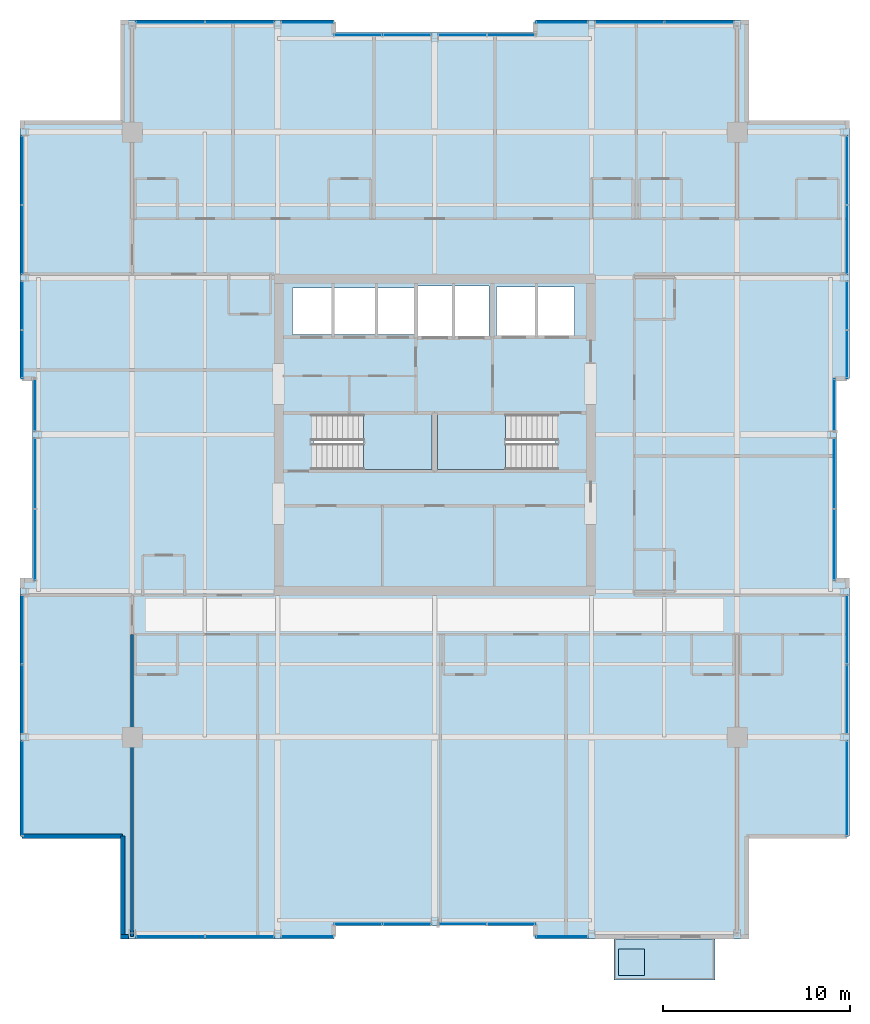
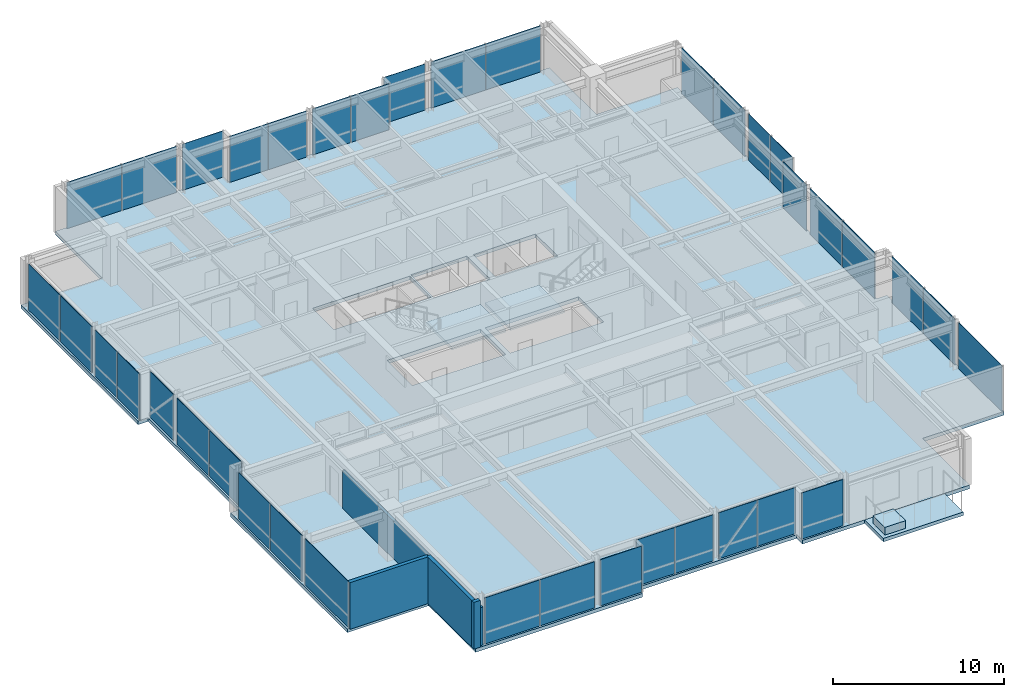
# One storey, part 25 of 32: 38 plates, 5 slabs, 4 walls, 25 elements without a shape of their own.
"""IFC4 building model written with IfcOpenShell, lengths in metres."""

import ifcopenshell
import ifcopenshell.guid

model = None  # the IFC model being written
_history = None  # IfcOwnerHistory: only IFC2X3 demands one
_inside = {}  # id of a spatial element -> (the spatial element, [elements in it])
_under = {}  # id of a project, library or spatial element -> (it, [spatial elements below it])
_declared = {}  # id of a project -> (the project, [libraries it declares])
_typed = {}  # id of a type object -> (the type object, [elements of that type])
_made_of = {}  # id of a material, layer set ... -> (it, [elements and type objects made of it])


def new_model(schema):
    """Start an empty IFC model of exactly this schema.

    Asked for "IFC4X3", IfcOpenShell would pick the latest addendum, in which some entities
    have other attributes; the version numbers below select the first issue.
    IFC2X3 requires an IfcOwnerHistory on every rooted entity: one is made here for all.
    """
    global model, _history
    if schema == "IFC4X3":
        model = ifcopenshell.file(schema_version=(4, 3, 0, 0))
    else:
        model = ifcopenshell.file(schema=schema)
    _inside.clear()
    _under.clear()
    _declared.clear()
    _typed.clear()
    _made_of.clear()
    _history = None
    if model.schema == "IFC2X3":
        org = make("IfcOrganization", Name="unknown")
        user = make(
            "IfcPersonAndOrganization",
            ThePerson=make("IfcPerson", FamilyName="unknown"),
            TheOrganization=org,
        )
        app = make(
            "IfcApplication",
            ApplicationDeveloper=org,
            Version="unknown",
            ApplicationFullName="unknown",
            ApplicationIdentifier="unknown",
        )
        _history = make(
            "IfcOwnerHistory",
            OwningUser=user,
            OwningApplication=app,
            ChangeAction="ADDED",
            CreationDate=0,
        )
    return model


def make(cls, **values):
    """One entity of the class cls with the attributes given. An attribute that is None is left unset."""
    return model.create_entity(
        cls, **{name: value for name, value in values.items() if value is not None}
    )


def rooted(cls, **values):
    """An entity with a GlobalId (a new one), such as an element, a storey or a relation."""
    return make(cls, GlobalId=ifcopenshell.guid.new(), OwnerHistory=_history, **values)


def si_unit(unit_type, name, prefix=None):
    """IfcSIUnit, for example si_unit("LENGTHUNIT", "METRE", prefix="MILLI")."""
    return make("IfcSIUnit", UnitType=unit_type, Prefix=prefix, Name=name)


def assignment(units):
    """IfcUnitAssignment: the units of a project."""
    return None if units is None else make("IfcUnitAssignment", Units=units)


def point(xyz):
    """IfcCartesianPoint."""
    return None if xyz is None else make("IfcCartesianPoint", Coordinates=xyz)


def direction(xyz):
    """IfcDirection."""
    return None if xyz is None else make("IfcDirection", DirectionRatios=xyz)


def frame(location, z_axis=None, x_axis=None):
    """IfcAxis2Placement3D, a coordinate frame: its origin and axes. An axis left out is left unset."""
    return make(
        "IfcAxis2Placement3D",
        Location=point(location),
        Axis=direction(z_axis),
        RefDirection=direction(x_axis),
    )


def frame_2d(location, x_axis=None):
    """IfcAxis2Placement2D, a coordinate frame in the plane: its origin and x axis."""
    return make(
        "IfcAxis2Placement2D", Location=point(location), RefDirection=direction(x_axis)
    )


def origin():
    """The frame at (0, 0, 0) with its axes left unset."""
    return frame((0.0, 0.0, 0.0))


def origin_2d():
    """The frame at (0, 0) in the plane with its x axis left unset."""
    return frame_2d((0.0, 0.0))


def place(relative_to, where):
    """IfcLocalPlacement: puts the frame where relative to a parent placement (None: the world)."""
    return make(
        "IfcLocalPlacement", PlacementRelTo=relative_to, RelativePlacement=where
    )


def context(
    kind, dimensions, precision=None, world=None, true_north=None, identifier=None
):
    """IfcGeometricRepresentationContext, for example the 3D "Model" context."""
    return make(
        "IfcGeometricRepresentationContext",
        ContextIdentifier=identifier,
        ContextType=kind,
        CoordinateSpaceDimension=dimensions,
        Precision=precision,
        WorldCoordinateSystem=world,
        TrueNorth=true_north,
    )


def subcontext(parent, identifier, kind, view, scale=None):
    """IfcGeometricRepresentationSubContext, for example "Body" below "Model"."""
    return make(
        "IfcGeometricRepresentationSubContext",
        ContextIdentifier=identifier,
        ContextType=kind,
        ParentContext=parent,
        TargetScale=scale,
        TargetView=view,
    )


def project(units=None, contexts=None):
    """IfcProject with its units and contexts."""
    return rooted(
        "IfcProject",
        Name="project",
        RepresentationContexts=contexts,
        UnitsInContext=assignment(units),
    )


def spatial(cls, under=None, at=None, **own):
    """A site, building, storey or space (cls), placed at a placement, below another one or the project."""
    s = rooted(cls, ObjectPlacement=at, **own)
    if under is not None:
        _under.setdefault(under.id(), (under, []))[1].append(s)
    return s


def polyline(points):
    """IfcPolyline through the points."""
    return make("IfcPolyline", Points=[point(p) for p in points])


def profile(cls, at=None, kind="AREA", **sizes):
    """A parametric profile (cls). Its sizes go by their IFC names, for example OverallWidth=200.0."""
    return make(cls, ProfileType=kind, Position=at, **sizes)


def rectangle(**sizes):
    """IfcRectangleProfileDef."""
    return profile("IfcRectangleProfileDef", **sizes)


def outline(outer, holes=None, kind="AREA"):
    """IfcArbitraryClosedProfileDef: a profile drawn as a closed curve; with holes, ...WithVoids."""
    if holes is None:
        return make("IfcArbitraryClosedProfileDef", ProfileType=kind, OuterCurve=outer)
    return make(
        "IfcArbitraryProfileDefWithVoids",
        ProfileType=kind,
        OuterCurve=outer,
        InnerCurves=holes,
    )


def extrude(swept, where, along, depth):
    """IfcExtrudedAreaSolid: the profile swept, set in the frame where, extruded along a direction by depth."""
    return make(
        "IfcExtrudedAreaSolid",
        SweptArea=swept,
        Position=where,
        ExtrudedDirection=direction(along),
        Depth=depth,
    )


def shape(context_of_items, identifier, shape_type, items):
    """IfcShapeRepresentation: the items that make up one representation, for example the "Body"."""
    return make(
        "IfcShapeRepresentation",
        ContextOfItems=context_of_items,
        RepresentationIdentifier=identifier,
        RepresentationType=shape_type,
        Items=items,
    )


def material(Name=None, Category=None):
    """IfcMaterial."""
    return make("IfcMaterial", Name=Name, Category=Category)


def layer(
    of_material, thickness, ventilated=None, Name=None, Category=None, Priority=None
):
    """IfcMaterialLayer: one layer of a wall or slab, of a material (None: an air gap)."""
    return make(
        "IfcMaterialLayer",
        Material=of_material,
        LayerThickness=thickness,
        IsVentilated=ventilated,
        Name=Name,
        Category=Category,
        Priority=Priority,
    )


def layer_set(layers, Name=None):
    """IfcMaterialLayerSet."""
    return make("IfcMaterialLayerSet", MaterialLayers=layers, LayerSetName=Name)


def made_of(thing, what):
    """Note that an element or type object is made of a material, layer set ...; save() writes the relation."""
    if what is not None:
        _made_of.setdefault(what.id(), (what, []))[1].append(thing)
    return thing


def type_object(cls, material=None, **own):
    """A type object (cls), such as IfcWallType, which elements share."""
    return made_of(rooted(cls, **own), material)


def element(
    cls,
    number,
    at=None,
    inside=None,
    cuts=None,
    type_object=None,
    material=None,
    context=None,
    identifier="Body",
    shape_type=None,
    held_by="IfcProductDefinitionShape",
    body=None,
    shapes=None,
    **own,
):
    """One element of the class cls, such as IfcWall. Its Tag is "e" and its number.

    at: its placement. inside: the storey or other place that contains it. cuts: it is an
    opening in that element (IfcRelVoidsElement). A single representation is given by context,
    identifier, shape_type and body (its items); several are given by shapes. held_by: the class
    of the entity that holds the representations. save() writes the other relations.
    """
    e = rooted(cls, Tag="e%d" % number, ObjectPlacement=at, **own)
    if body is not None:
        shapes = [shape(context, identifier, shape_type, body)]
    if shapes is not None:
        e.Representation = make(held_by, Representations=shapes)
    if inside is not None:
        _inside.setdefault(inside.id(), (inside, []))[1].append(e)
    if cuts is not None:
        rooted(
            "IfcRelVoidsElement", RelatingBuildingElement=cuts, RelatedOpeningElement=e
        )
    if type_object is not None:
        _typed.setdefault(type_object.id(), (type_object, []))[1].append(e)
    return made_of(e, material)


def aggregate(whole, parts):
    """IfcRelAggregates: a whole, such as a stair, and the parts it consists of."""
    return rooted("IfcRelAggregates", RelatingObject=whole, RelatedObjects=parts)


def save(model, path):
    """Write the relations noted so far, then the file.

    IfcRelAggregates (storeys below a building ...), IfcRelContainedInSpatialStructure (elements
    in a storey), IfcRelDefinesByType, IfcRelAssociatesMaterial and IfcRelDeclares: one each for
    every whole, place, type object, material and project.
    """
    for whole, parts in _under.values():
        aggregate(whole, parts)
    for where, things in _inside.values():
        rooted(
            "IfcRelContainedInSpatialStructure",
            RelatedElements=things,
            RelatingStructure=where,
        )
    for kind, things in _typed.values():
        rooted("IfcRelDefinesByType", RelatedObjects=things, RelatingType=kind)
    for what, things in _made_of.values():
        rooted("IfcRelAssociatesMaterial", RelatedObjects=things, RelatingMaterial=what)
    for by, libraries in _declared.values():
        rooted("IfcRelDeclares", RelatingContext=by, RelatedDefinitions=libraries)
    model.write(path)


model = new_model("IFC4")

# Units and contexts
model_context = context("Model", 3, precision=1e-05, world=origin(), true_north=direction((0.0, 1.0)))
body_context = subcontext(model_context, "Body", "Model", "MODEL_VIEW")
ifc_project = project(units=[si_unit("LENGTHUNIT", "METRE"), si_unit("AREAUNIT", "SQUARE_METRE"), si_unit("VOLUMEUNIT", "CUBIC_METRE"), si_unit("PLANEANGLEUNIT", "RADIAN"), si_unit("MASSUNIT", "GRAM", prefix="KILO")], contexts=[model_context])

# Site, building, storey
site_placement = place(None, origin())
site = spatial("IfcSite", under=ifc_project, at=site_placement, CompositionType="ELEMENT")
building_placement = place(site_placement, origin())
building = spatial("IfcBuilding", under=site, at=building_placement, Name="Drelvath Grand Hotel", CompositionType="ELEMENT")
storey_placement = place(building_placement, frame((0.0, 0.0, 241.10009765625)))
storey = spatial("IfcBuildingStorey", under=building, at=storey_placement, Name="L63", CompositionType="ELEMENT", Elevation=241.10009765625)

# Slabs
ifc_material_1 = material(Name="Concrete f'c 40 MPa", Category="concrete")
ifc_layer_1 = layer(ifc_material_1, 0.239990234375)
ifc_layer_set_1 = layer_set([ifc_layer_1], Name="Concrete f'c 40 MPa")
slab_type_1 = type_object("IfcSlabType", Name="Cantilevered Tree Balcony Slab 240", PredefinedType="FLOOR", material=ifc_layer_set_1)
slab_1_placement = place(storey_placement, frame((0.0, 0.0, -0.239990234375)))
element("IfcSlab", 1, at=slab_1_placement, inside=storey, type_object=slab_type_1, Name="L63 Cantilevered Tree Balcony Slab 1", PredefinedType="FLOOR", context=body_context, shape_type="SweptSolid", body=[
    extrude(outline(polyline([(9.60009765625, -2.199951171875), (15.0, -2.199951171875), (15.0, 0.0), (9.60009765625, 0.0), (9.60009765625, -2.199951171875)])), origin(), (0.0, 0.0, 1.0), 0.239990234375),
])
ifc_layer_2 = layer(ifc_material_1, 0.260009765625)
ifc_layer_set_2 = layer_set([ifc_layer_2], Name="Concrete f'c 40 MPa")
slab_type_2 = type_object("IfcSlabType", Name="Composite RC Floor Slab 260", PredefinedType="FLOOR", material=ifc_layer_set_2)
slab_2_placement = place(storey_placement, frame((0.0, 0.0, -0.260009765625)))
element("IfcSlab", 2, at=slab_2_placement, inside=storey, type_object=slab_type_2, Name="L63 Structural Floor Slab", PredefinedType="FLOOR", context=body_context, shape_type="SweptSolid", body=[
    extrude(outline(polyline([(-16.699951171875, 0.0), (-5.39990234375, 0.0), (-5.39990234375, 0.679931640625), (5.39990234375, 0.679931640625), (5.39990234375, 0.0), (16.699951171875, 0.0), (16.699951171875, 5.5), (22.199951171875, 5.5), (22.199951171875, 19.199951171875), (21.52001953125, 19.199951171875), (21.52001953125, 30.0), (22.199951171875, 30.0), (22.199951171875, 43.699951171875), (16.699951171875, 43.699951171875), (16.699951171875, 49.199951171875), (5.39990234375, 49.199951171875), (5.39990234375, 48.52001953125), (-5.39990234375, 48.52001953125), (-5.39990234375, 49.199951171875), (-16.699951171875, 49.199951171875), (-16.699951171875, 43.699951171875), (-22.199951171875, 43.699951171875), (-22.199951171875, 30.0), (-21.52001953125, 30.0), (-21.52001953125, 19.199951171875), (-22.199951171875, 19.199951171875), (-22.199951171875, 5.5), (-16.699951171875, 5.5), (-16.699951171875, 0.0)]), holes=[polyline([(-6.47998046875, 25.1201171875), (-6.47998046875, 28.080078125), (-0.14990234375, 28.080078125), (-0.14990234375, 25.1201171875), (-6.47998046875, 25.1201171875)]), polyline([(0.14990234375, 25.1201171875), (0.14990234375, 28.080078125), (6.47998046875, 28.080078125), (6.47998046875, 25.1201171875), (0.14990234375, 25.1201171875)]), polyline([(-7.60009765625, 32.35009765625), (-7.60009765625, 34.85009765625), (-1.02001953125, 34.85009765625), (-1.02001953125, 32.35009765625), (-7.60009765625, 32.35009765625)]), polyline([(-0.89990234375, 32.25), (-0.89990234375, 34.949951171875), (2.89990234375, 34.949951171875), (2.89990234375, 32.25), (-0.89990234375, 32.25)]), polyline([(3.300048828125, 32.300048828125), (3.300048828125, 34.89990234375), (7.5, 34.89990234375), (7.5, 32.300048828125), (3.300048828125, 32.300048828125)])]), origin(), (0.0, 0.0, 1.0), 0.260009765625),
])

# Stair, slab
ifc_material_2 = material(Name="Concrete C40/50", Category="concrete")
stair_type = type_object("IfcStairType", Name="Dogleg Exit Stair W1400-R163.6", PredefinedType="HALF_TURN_STAIR", material=ifc_material_2)
stair_1_placement = place(storey_placement, origin())
stair_1 = element("IfcStair", 3, at=stair_1_placement, inside=storey, type_object=stair_type, Name="L63 Core Exit Stair ST-1", PredefinedType="HALF_TURN_STAIR")
ifc_layer_3 = layer(ifc_material_2, 0.199951171875)
ifc_layer_set_3 = layer_set([ifc_layer_3], Name="Concrete C40/50")
slab_type_3 = type_object("IfcSlabType", Name="Concrete Stair Landing Slab 200", PredefinedType="LANDING", material=ifc_layer_set_3)
slab_3_placement = place(storey_placement, frame((0.0, 0.0, 1.599853515625)))
slab_3 = element("IfcSlab", 4, at=slab_3_placement, type_object=slab_type_3, Name="ST-1 landing 1", PredefinedType="LANDING", context=body_context, shape_type="SweptSolid", body=[
    extrude(outline(polyline([(-3.800048828125, 25.1201171875), (-0.14990234375, 25.1201171875), (-0.14990234375, 28.080078125), (-3.800048828125, 28.080078125), (-3.800048828125, 25.1201171875)])), origin(), (0.0, 0.0, 1.0), 0.199951171875),
])
aggregate(stair_1, [slab_3])

stair_2_placement = place(storey_placement, origin())
stair_2 = element("IfcStair", 5, at=stair_2_placement, inside=storey, type_object=stair_type, Name="L63 Core Exit Stair ST-2", PredefinedType="HALF_TURN_STAIR")
slab_4_placement = place(storey_placement, frame((0.0, 0.0, 1.599853515625)))
slab_4 = element("IfcSlab", 6, at=slab_4_placement, type_object=slab_type_3, Name="ST-2 landing 1", PredefinedType="LANDING", context=body_context, shape_type="SweptSolid", body=[
    extrude(outline(polyline([(3.800048828125, 28.080078125), (0.14990234375, 28.080078125), (0.14990234375, 25.1201171875), (3.800048828125, 25.1201171875), (3.800048828125, 28.080078125)])), origin(), (0.0, 0.0, 1.0), 0.199951171875),
])
aggregate(stair_2, [slab_4])

# Curtain wall, plate
ifc_material_3 = material(Name="Platinum-Mist Anodised Aluminium Frame", Category="aluminium")
ifc_layer_4 = layer(ifc_material_3, 0.199951171875)
ifc_layer_set_4 = layer_set([ifc_layer_4], Name="Platinum-Mist Anodised Aluminium Frame")
curtain_wall_type = type_object("IfcCurtainWallType", Name="Stick Curtain Wall CW-05 Platinum Mist High-Rise", PredefinedType="NOTDEFINED", material=ifc_layer_set_4)
curtain_wall_1_placement = place(storey_placement, origin())
curtain_wall_1 = element("IfcCurtainWall", 7, at=curtain_wall_1_placement, inside=storey, type_object=curtain_wall_type, Name="L63 CW-05 Curtain Wall CW05-L63-WS1", PredefinedType="NOTDEFINED")
ifc_material_4 = material(Name="Low-E Triple Silver High-Altitude Glass", Category="glass")
ifc_layer_5 = layer(ifc_material_4, 0.035888671875)
ifc_layer_set_5 = layer_set([ifc_layer_5], Name="Low-E Triple Silver High-Altitude Glass")
plate_type = type_object("IfcPlateType", Name="Curtain Wall Vision Panel CW-05 36mm", PredefinedType="CURTAIN_PANEL", material=ifc_layer_set_5)
plate_1_placement = place(storey_placement, frame((-22.080078125, 8.060791015625, 0.02001953125), z_axis=(0.0, 0.0, 1.0), x_axis=(0.0, 1.0, 0.0)))
plate_1 = element("IfcPlate", 8, at=plate_1_placement, type_object=plate_type, Name="CW05-L63-WS1 Glazed Panel 1", PredefinedType="CURTAIN_PANEL", context=body_context, shape_type="SweptSolid", body=[
    extrude(rectangle(XDim=5.081787109375, YDim=0.035888671875, at=origin_2d()), origin(), (0.0, 0.0, 1.0), 3.300048828125),
])
aggregate(curtain_wall_1, [plate_1])

# Curtain wall, plates
curtain_wall_2_placement = place(storey_placement, origin())
curtain_wall_2 = element("IfcCurtainWall", 9, at=curtain_wall_2_placement, inside=storey, type_object=curtain_wall_type, Name="L63 CW-05 Curtain Wall CW05-L63-WS2", PredefinedType="NOTDEFINED")
plate_2_placement = place(storey_placement, frame((-22.080078125, 12.839111328125, 0.02001953125), z_axis=(0.0, 0.0, 1.0), x_axis=(0.0, 1.0, 0.0)))
plate_2 = element("IfcPlate", 10, at=plate_2_placement, type_object=plate_type, Name="CW05-L63-WS2 Glazed Panel 1", PredefinedType="CURTAIN_PANEL", context=body_context, shape_type="SweptSolid", body=[
    extrude(rectangle(XDim=3.681884765625, YDim=0.035888671875, at=origin_2d()), origin(), (0.0, 0.0, 1.0), 3.300048828125),
])
plate_3_placement = place(storey_placement, frame((-22.080078125, 16.560791015625, 0.02001953125), z_axis=(0.0, 0.0, 1.0), x_axis=(0.0, 1.0, 0.0)))
plate_3 = element("IfcPlate", 11, at=plate_3_placement, type_object=plate_type, Name="CW05-L63-WS2 Glazed Panel 2", PredefinedType="CURTAIN_PANEL", context=body_context, shape_type="SweptSolid", body=[
    extrude(rectangle(XDim=3.681884765625, YDim=0.035888671875, at=origin_2d()), origin(), (0.0, 0.0, 1.0), 3.300048828125),
])
aggregate(curtain_wall_2, [plate_2, plate_3])

curtain_wall_3_placement = place(storey_placement, origin())
curtain_wall_3 = element("IfcCurtainWall", 12, at=curtain_wall_3_placement, inside=storey, type_object=curtain_wall_type, Name="L63 CW-05 Curtain Wall CW05-L63-WM1", PredefinedType="NOTDEFINED")
plate_4_placement = place(storey_placement, frame((-21.39990234375, 21.10546875, 0.02001953125), z_axis=(0.0, 0.0, 1.0), x_axis=(0.0, 1.0, 0.0)))
plate_4 = element("IfcPlate", 13, at=plate_4_placement, type_object=plate_type, Name="CW05-L63-WM1 Glazed Panel 1", PredefinedType="CURTAIN_PANEL", context=body_context, shape_type="SweptSolid", body=[
    extrude(rectangle(XDim=3.77099609375, YDim=0.035888671875, at=origin_2d()), origin(), (0.0, 0.0, 1.0), 3.300048828125),
])
plate_5_placement = place(storey_placement, frame((-21.39990234375, 24.91650390625, 0.02001953125), z_axis=(0.0, 0.0, 1.0), x_axis=(0.0, 1.0, 0.0)))
plate_5 = element("IfcPlate", 14, at=plate_5_placement, type_object=plate_type, Name="CW05-L63-WM1 Glazed Panel 2", PredefinedType="CURTAIN_PANEL", context=body_context, shape_type="SweptSolid", body=[
    extrude(rectangle(XDim=3.77099609375, YDim=0.035888671875, at=origin_2d()), origin(), (0.0, 0.0, 1.0), 3.300048828125),
])
aggregate(curtain_wall_3, [plate_4, plate_5])

# Curtain wall, plate
curtain_wall_4_placement = place(storey_placement, origin())
curtain_wall_4 = element("IfcCurtainWall", 15, at=curtain_wall_4_placement, inside=storey, type_object=curtain_wall_type, Name="L63 CW-05 Curtain Wall CW05-L63-WM2", PredefinedType="NOTDEFINED")
plate_6_placement = place(storey_placement, frame((-21.39990234375, 28.589111328125, 0.02001953125), z_axis=(0.0, 0.0, 1.0), x_axis=(0.0, 1.0, 0.0)))
plate_6 = element("IfcPlate", 16, at=plate_6_placement, type_object=plate_type, Name="CW05-L63-WM2 Glazed Panel 1", PredefinedType="CURTAIN_PANEL", context=body_context, shape_type="SweptSolid", body=[
    extrude(rectangle(XDim=2.78173828125, YDim=0.035888671875, at=origin_2d()), origin(), (0.0, 0.0, 1.0), 3.300048828125),
])
aggregate(curtain_wall_4, [plate_6])

# Curtain wall, plates
curtain_wall_5_placement = place(storey_placement, origin())
curtain_wall_5 = element("IfcCurtainWall", 17, at=curtain_wall_5_placement, inside=storey, type_object=curtain_wall_type, Name="L63 CW-05 Curtain Wall CW05-L63-WN1", PredefinedType="NOTDEFINED")
plate_7_placement = place(storey_placement, frame((-22.080078125, 31.305419921875, 0.02001953125), z_axis=(0.0, 0.0, 1.0), x_axis=(0.0, 1.0, 0.0)))
plate_7 = element("IfcPlate", 18, at=plate_7_placement, type_object=plate_type, Name="CW05-L63-WN1 Glazed Panel 1", PredefinedType="CURTAIN_PANEL", context=body_context, shape_type="SweptSolid", body=[
    extrude(rectangle(XDim=2.57080078125, YDim=0.035888671875, at=origin_2d()), origin(), (0.0, 0.0, 1.0), 3.300048828125),
])
plate_8_placement = place(storey_placement, frame((-22.080078125, 33.91650390625, 0.02001953125), z_axis=(0.0, 0.0, 1.0), x_axis=(0.0, 1.0, 0.0)))
plate_8 = element("IfcPlate", 19, at=plate_8_placement, type_object=plate_type, Name="CW05-L63-WN1 Glazed Panel 2", PredefinedType="CURTAIN_PANEL", context=body_context, shape_type="SweptSolid", body=[
    extrude(rectangle(XDim=2.57080078125, YDim=0.035888671875, at=origin_2d()), origin(), (0.0, 0.0, 1.0), 3.300048828125),
])
aggregate(curtain_wall_5, [plate_7, plate_8])

curtain_wall_6_placement = place(storey_placement, origin())
curtain_wall_6 = element("IfcCurtainWall", 20, at=curtain_wall_6_placement, inside=storey, type_object=curtain_wall_type, Name="L63 CW-05 Curtain Wall CW05-L63-WN2", PredefinedType="NOTDEFINED")
plate_9_placement = place(storey_placement, frame((-22.080078125, 37.439208984375, 0.02001953125), z_axis=(0.0, 0.0, 1.0), x_axis=(0.0, 1.0, 0.0)))
plate_9 = element("IfcPlate", 21, at=plate_9_placement, type_object=plate_type, Name="CW05-L63-WN2 Glazed Panel 1", PredefinedType="CURTAIN_PANEL", context=body_context, shape_type="SweptSolid", body=[
    extrude(rectangle(XDim=3.681884765625, YDim=0.035888671875, at=origin_2d()), origin(), (0.0, 0.0, 1.0), 3.300048828125),
])
plate_10_placement = place(storey_placement, frame((-22.080078125, 41.160888671875, 0.02001953125), z_axis=(0.0, 0.0, 1.0), x_axis=(0.0, 1.0, 0.0)))
plate_10 = element("IfcPlate", 22, at=plate_10_placement, type_object=plate_type, Name="CW05-L63-WN2 Glazed Panel 2", PredefinedType="CURTAIN_PANEL", context=body_context, shape_type="SweptSolid", body=[
    extrude(rectangle(XDim=3.681884765625, YDim=0.035888671875, at=origin_2d()), origin(), (0.0, 0.0, 1.0), 3.300048828125),
])
aggregate(curtain_wall_6, [plate_9, plate_10])

curtain_wall_7_placement = place(storey_placement, origin())
curtain_wall_7 = element("IfcCurtainWall", 23, at=curtain_wall_7_placement, inside=storey, type_object=curtain_wall_type, Name="L63 CW-05 Curtain Wall CW05-L63-EN1", PredefinedType="NOTDEFINED")
plate_11_placement = place(storey_placement, frame((22.080078125, 33.91650390625, 0.02001953125), z_axis=(0.0, 0.0, 1.0), x_axis=(0.0, -1.0, 0.0)))
plate_11 = element("IfcPlate", 24, at=plate_11_placement, type_object=plate_type, Name="CW05-L63-EN1 Glazed Panel 1", PredefinedType="CURTAIN_PANEL", context=body_context, shape_type="SweptSolid", body=[
    extrude(rectangle(XDim=2.57080078125, YDim=0.035888671875, at=origin_2d()), origin(), (0.0, 0.0, 1.0), 3.300048828125),
])
plate_12_placement = place(storey_placement, frame((22.080078125, 31.305419921875, 0.02001953125), z_axis=(0.0, 0.0, 1.0), x_axis=(0.0, -1.0, 0.0)))
plate_12 = element("IfcPlate", 25, at=plate_12_placement, type_object=plate_type, Name="CW05-L63-EN1 Glazed Panel 2", PredefinedType="CURTAIN_PANEL", context=body_context, shape_type="SweptSolid", body=[
    extrude(rectangle(XDim=2.57080078125, YDim=0.035888671875, at=origin_2d()), origin(), (0.0, 0.0, 1.0), 3.300048828125),
])
aggregate(curtain_wall_7, [plate_11, plate_12])

curtain_wall_8_placement = place(storey_placement, origin())
curtain_wall_8 = element("IfcCurtainWall", 26, at=curtain_wall_8_placement, inside=storey, type_object=curtain_wall_type, Name="L63 CW-05 Curtain Wall CW05-L63-EN2", PredefinedType="NOTDEFINED")
plate_13_placement = place(storey_placement, frame((22.080078125, 41.160888671875, 0.02001953125), z_axis=(0.0, 0.0, 1.0), x_axis=(0.0, -1.0, 0.0)))
plate_13 = element("IfcPlate", 27, at=plate_13_placement, type_object=plate_type, Name="CW05-L63-EN2 Glazed Panel 1", PredefinedType="CURTAIN_PANEL", context=body_context, shape_type="SweptSolid", body=[
    extrude(rectangle(XDim=3.681884765625, YDim=0.035888671875, at=origin_2d()), origin(), (0.0, 0.0, 1.0), 3.300048828125),
])
plate_14_placement = place(storey_placement, frame((22.080078125, 37.439208984375, 0.02001953125), z_axis=(0.0, 0.0, 1.0), x_axis=(0.0, -1.0, 0.0)))
plate_14 = element("IfcPlate", 28, at=plate_14_placement, type_object=plate_type, Name="CW05-L63-EN2 Glazed Panel 2", PredefinedType="CURTAIN_PANEL", context=body_context, shape_type="SweptSolid", body=[
    extrude(rectangle(XDim=3.681884765625, YDim=0.035888671875, at=origin_2d()), origin(), (0.0, 0.0, 1.0), 3.300048828125),
])
aggregate(curtain_wall_8, [plate_13, plate_14])

curtain_wall_9_placement = place(storey_placement, origin())
curtain_wall_9 = element("IfcCurtainWall", 29, at=curtain_wall_9_placement, inside=storey, type_object=curtain_wall_type, Name="L63 CW-05 Curtain Wall CW05-L63-EM1", PredefinedType="NOTDEFINED")
plate_15_placement = place(storey_placement, frame((21.39990234375, 24.91650390625, 0.02001953125), z_axis=(0.0, 0.0, 1.0), x_axis=(0.0, -1.0, 0.0)))
plate_15 = element("IfcPlate", 30, at=plate_15_placement, type_object=plate_type, Name="CW05-L63-EM1 Glazed Panel 1", PredefinedType="CURTAIN_PANEL", context=body_context, shape_type="SweptSolid", body=[
    extrude(rectangle(XDim=3.77099609375, YDim=0.035888671875, at=origin_2d()), origin(), (0.0, 0.0, 1.0), 3.300048828125),
])
plate_16_placement = place(storey_placement, frame((21.39990234375, 21.10546875, 0.02001953125), z_axis=(0.0, 0.0, 1.0), x_axis=(0.0, -1.0, 0.0)))
plate_16 = element("IfcPlate", 31, at=plate_16_placement, type_object=plate_type, Name="CW05-L63-EM1 Glazed Panel 2", PredefinedType="CURTAIN_PANEL", context=body_context, shape_type="SweptSolid", body=[
    extrude(rectangle(XDim=3.77099609375, YDim=0.035888671875, at=origin_2d()), origin(), (0.0, 0.0, 1.0), 3.300048828125),
])
aggregate(curtain_wall_9, [plate_15, plate_16])

# Curtain wall, plate
curtain_wall_10_placement = place(storey_placement, origin())
curtain_wall_10 = element("IfcCurtainWall", 32, at=curtain_wall_10_placement, inside=storey, type_object=curtain_wall_type, Name="L63 CW-05 Curtain Wall CW05-L63-EM2", PredefinedType="NOTDEFINED")
plate_17_placement = place(storey_placement, frame((21.39990234375, 28.589111328125, 0.02001953125), z_axis=(0.0, 0.0, 1.0), x_axis=(0.0, -1.0, 0.0)))
plate_17 = element("IfcPlate", 33, at=plate_17_placement, type_object=plate_type, Name="CW05-L63-EM2 Glazed Panel 1", PredefinedType="CURTAIN_PANEL", context=body_context, shape_type="SweptSolid", body=[
    extrude(rectangle(XDim=2.78173828125, YDim=0.035888671875, at=origin_2d()), origin(), (0.0, 0.0, 1.0), 3.300048828125),
])
aggregate(curtain_wall_10, [plate_17])

curtain_wall_11_placement = place(storey_placement, origin())
curtain_wall_11 = element("IfcCurtainWall", 34, at=curtain_wall_11_placement, inside=storey, type_object=curtain_wall_type, Name="L63 CW-05 Curtain Wall CW05-L63-ES1", PredefinedType="NOTDEFINED")
plate_18_placement = place(storey_placement, frame((22.080078125, 8.060791015625, 0.02001953125), z_axis=(0.0, 0.0, 1.0), x_axis=(0.0, -1.0, 0.0)))
plate_18 = element("IfcPlate", 35, at=plate_18_placement, type_object=plate_type, Name="CW05-L63-ES1 Glazed Panel 1", PredefinedType="CURTAIN_PANEL", context=body_context, shape_type="SweptSolid", body=[
    extrude(rectangle(XDim=5.081787109375, YDim=0.035888671875, at=origin_2d()), origin(), (0.0, 0.0, 1.0), 3.300048828125),
])
aggregate(curtain_wall_11, [plate_18])

# Curtain wall, plates
curtain_wall_12_placement = place(storey_placement, origin())
curtain_wall_12 = element("IfcCurtainWall", 36, at=curtain_wall_12_placement, inside=storey, type_object=curtain_wall_type, Name="L63 CW-05 Curtain Wall CW05-L63-ES2", PredefinedType="NOTDEFINED")
plate_19_placement = place(storey_placement, frame((22.080078125, 16.560791015625, 0.02001953125), z_axis=(0.0, 0.0, 1.0), x_axis=(0.0, -1.0, 0.0)))
plate_19 = element("IfcPlate", 37, at=plate_19_placement, type_object=plate_type, Name="CW05-L63-ES2 Glazed Panel 1", PredefinedType="CURTAIN_PANEL", context=body_context, shape_type="SweptSolid", body=[
    extrude(rectangle(XDim=3.681884765625, YDim=0.035888671875, at=origin_2d()), origin(), (0.0, 0.0, 1.0), 3.300048828125),
])
plate_20_placement = place(storey_placement, frame((22.080078125, 12.839111328125, 0.02001953125), z_axis=(0.0, 0.0, 1.0), x_axis=(0.0, -1.0, 0.0)))
plate_20 = element("IfcPlate", 38, at=plate_20_placement, type_object=plate_type, Name="CW05-L63-ES2 Glazed Panel 2", PredefinedType="CURTAIN_PANEL", context=body_context, shape_type="SweptSolid", body=[
    extrude(rectangle(XDim=3.681884765625, YDim=0.035888671875, at=origin_2d()), origin(), (0.0, 0.0, 1.0), 3.300048828125),
])
aggregate(curtain_wall_12, [plate_19, plate_20])

curtain_wall_13_placement = place(storey_placement, origin())
curtain_wall_13 = element("IfcCurtainWall", 39, at=curtain_wall_13_placement, inside=storey, type_object=curtain_wall_type, Name="L63 CW-05 Curtain Wall CW05-L63-NW2", PredefinedType="NOTDEFINED")
plate_21_placement = place(storey_placement, frame((-14.160888671875, 49.080078125, 0.02001953125), z_axis=(0.0, 0.0, 1.0), x_axis=(1.0, 0.0, 0.0)))
plate_21 = element("IfcPlate", 40, at=plate_21_placement, type_object=plate_type, Name="CW05-L63-NW2 Glazed Panel 1", PredefinedType="CURTAIN_PANEL", context=body_context, shape_type="SweptSolid", body=[
    extrude(rectangle(XDim=3.681884765625, YDim=0.035888671875, at=origin_2d()), origin(), (0.0, 0.0, 1.0), 3.300048828125),
])
plate_22_placement = place(storey_placement, frame((-10.439208984375, 49.080078125, 0.02001953125), z_axis=(0.0, 0.0, 1.0), x_axis=(1.0, 0.0, 0.0)))
plate_22 = element("IfcPlate", 41, at=plate_22_placement, type_object=plate_type, Name="CW05-L63-NW2 Glazed Panel 2", PredefinedType="CURTAIN_PANEL", context=body_context, shape_type="SweptSolid", body=[
    extrude(rectangle(XDim=3.681884765625, YDim=0.035888671875, at=origin_2d()), origin(), (0.0, 0.0, 1.0), 3.300048828125),
])
aggregate(curtain_wall_13, [plate_21, plate_22])

# Curtain wall, plate
curtain_wall_14_placement = place(storey_placement, origin())
curtain_wall_14 = element("IfcCurtainWall", 42, at=curtain_wall_14_placement, inside=storey, type_object=curtain_wall_type, Name="L63 CW-05 Curtain Wall CW05-L63-NW3", PredefinedType="NOTDEFINED")
plate_23_placement = place(storey_placement, frame((-6.810791015625, 49.080078125, 0.02001953125), z_axis=(0.0, 0.0, 1.0), x_axis=(1.0, 0.0, 0.0)))
plate_23 = element("IfcPlate", 43, at=plate_23_placement, type_object=plate_type, Name="CW05-L63-NW3 Glazed Panel 1", PredefinedType="CURTAIN_PANEL", context=body_context, shape_type="SweptSolid", body=[
    extrude(rectangle(XDim=2.78173828125, YDim=0.035888671875, at=origin_2d()), origin(), (0.0, 0.0, 1.0), 3.300048828125),
])
aggregate(curtain_wall_14, [plate_23])

# Curtain wall, plates
curtain_wall_15_placement = place(storey_placement, origin())
curtain_wall_15 = element("IfcCurtainWall", 44, at=curtain_wall_15_placement, inside=storey, type_object=curtain_wall_type, Name="L63 CW-05 Curtain Wall CW05-L63-NM1", PredefinedType="NOTDEFINED")
plate_24_placement = place(storey_placement, frame((-4.094482421875, 48.39990234375, 0.02001953125), z_axis=(0.0, 0.0, 1.0), x_axis=(1.0, 0.0, 0.0)))
plate_24 = element("IfcPlate", 45, at=plate_24_placement, type_object=plate_type, Name="CW05-L63-NM1 Glazed Panel 1", PredefinedType="CURTAIN_PANEL", context=body_context, shape_type="SweptSolid", body=[
    extrude(rectangle(XDim=2.57080078125, YDim=0.035888671875, at=origin_2d()), origin(), (0.0, 0.0, 1.0), 3.300048828125),
])
plate_25_placement = place(storey_placement, frame((-1.483642578125, 48.39990234375, 0.02001953125), z_axis=(0.0, 0.0, 1.0), x_axis=(1.0, 0.0, 0.0)))
plate_25 = element("IfcPlate", 46, at=plate_25_placement, type_object=plate_type, Name="CW05-L63-NM1 Glazed Panel 2", PredefinedType="CURTAIN_PANEL", context=body_context, shape_type="SweptSolid", body=[
    extrude(rectangle(XDim=2.57080078125, YDim=0.035888671875, at=origin_2d()), origin(), (0.0, 0.0, 1.0), 3.300048828125),
])
aggregate(curtain_wall_15, [plate_24, plate_25])

curtain_wall_16_placement = place(storey_placement, origin())
curtain_wall_16 = element("IfcCurtainWall", 47, at=curtain_wall_16_placement, inside=storey, type_object=curtain_wall_type, Name="L63 CW-05 Curtain Wall CW05-L63-NM2", PredefinedType="NOTDEFINED")
plate_26_placement = place(storey_placement, frame((1.483642578125, 48.39990234375, 0.02001953125), z_axis=(0.0, 0.0, 1.0), x_axis=(1.0, 0.0, 0.0)))
plate_26 = element("IfcPlate", 48, at=plate_26_placement, type_object=plate_type, Name="CW05-L63-NM2 Glazed Panel 1", PredefinedType="CURTAIN_PANEL", context=body_context, shape_type="SweptSolid", body=[
    extrude(rectangle(XDim=2.57080078125, YDim=0.035888671875, at=origin_2d()), origin(), (0.0, 0.0, 1.0), 3.300048828125),
])
plate_27_placement = place(storey_placement, frame((4.094482421875, 48.39990234375, 0.02001953125), z_axis=(0.0, 0.0, 1.0), x_axis=(1.0, 0.0, 0.0)))
plate_27 = element("IfcPlate", 49, at=plate_27_placement, type_object=plate_type, Name="CW05-L63-NM2 Glazed Panel 2", PredefinedType="CURTAIN_PANEL", context=body_context, shape_type="SweptSolid", body=[
    extrude(rectangle(XDim=2.57080078125, YDim=0.035888671875, at=origin_2d()), origin(), (0.0, 0.0, 1.0), 3.300048828125),
])
aggregate(curtain_wall_16, [plate_26, plate_27])

# Curtain wall, plate
curtain_wall_17_placement = place(storey_placement, origin())
curtain_wall_17 = element("IfcCurtainWall", 50, at=curtain_wall_17_placement, inside=storey, type_object=curtain_wall_type, Name="L63 CW-05 Curtain Wall CW05-L63-NE1", PredefinedType="NOTDEFINED")
plate_28_placement = place(storey_placement, frame((6.810791015625, 49.080078125, 0.02001953125), z_axis=(0.0, 0.0, 1.0), x_axis=(1.0, 0.0, 0.0)))
plate_28 = element("IfcPlate", 51, at=plate_28_placement, type_object=plate_type, Name="CW05-L63-NE1 Glazed Panel 1", PredefinedType="CURTAIN_PANEL", context=body_context, shape_type="SweptSolid", body=[
    extrude(rectangle(XDim=2.78173828125, YDim=0.035888671875, at=origin_2d()), origin(), (0.0, 0.0, 1.0), 3.300048828125),
])
aggregate(curtain_wall_17, [plate_28])

# Curtain wall, plates
curtain_wall_18_placement = place(storey_placement, origin())
curtain_wall_18 = element("IfcCurtainWall", 52, at=curtain_wall_18_placement, inside=storey, type_object=curtain_wall_type, Name="L63 CW-05 Curtain Wall CW05-L63-NE2", PredefinedType="NOTDEFINED")
plate_29_placement = place(storey_placement, frame((10.439208984375, 49.080078125, 0.02001953125), z_axis=(0.0, 0.0, 1.0), x_axis=(1.0, 0.0, 0.0)))
plate_29 = element("IfcPlate", 53, at=plate_29_placement, type_object=plate_type, Name="CW05-L63-NE2 Glazed Panel 1", PredefinedType="CURTAIN_PANEL", context=body_context, shape_type="SweptSolid", body=[
    extrude(rectangle(XDim=3.681884765625, YDim=0.035888671875, at=origin_2d()), origin(), (0.0, 0.0, 1.0), 3.300048828125),
])
plate_30_placement = place(storey_placement, frame((14.160888671875, 49.080078125, 0.02001953125), z_axis=(0.0, 0.0, 1.0), x_axis=(1.0, 0.0, 0.0)))
plate_30 = element("IfcPlate", 54, at=plate_30_placement, type_object=plate_type, Name="CW05-L63-NE2 Glazed Panel 2", PredefinedType="CURTAIN_PANEL", context=body_context, shape_type="SweptSolid", body=[
    extrude(rectangle(XDim=3.681884765625, YDim=0.035888671875, at=origin_2d()), origin(), (0.0, 0.0, 1.0), 3.300048828125),
])
aggregate(curtain_wall_18, [plate_29, plate_30])

# Curtain wall, plate
curtain_wall_19_placement = place(storey_placement, origin())
curtain_wall_19 = element("IfcCurtainWall", 55, at=curtain_wall_19_placement, inside=storey, type_object=curtain_wall_type, Name="L63 CW-05 Curtain Wall CW05-L63-SE1", PredefinedType="NOTDEFINED")
plate_31_placement = place(storey_placement, frame((6.810791015625, 0.1201171875, 0.02001953125), z_axis=(0.0, 0.0, 1.0), x_axis=(-1.0, 0.0, 0.0)))
plate_31 = element("IfcPlate", 56, at=plate_31_placement, type_object=plate_type, Name="CW05-L63-SE1 Glazed Panel 1", PredefinedType="CURTAIN_PANEL", context=body_context, shape_type="SweptSolid", body=[
    extrude(rectangle(XDim=2.78173828125, YDim=0.035888671875, at=origin_2d()), origin(), (0.0, 0.0, 1.0), 3.300048828125),
])
aggregate(curtain_wall_19, [plate_31])

# Curtain wall, plates
curtain_wall_20_placement = place(storey_placement, origin())
curtain_wall_20 = element("IfcCurtainWall", 57, at=curtain_wall_20_placement, inside=storey, type_object=curtain_wall_type, Name="L63 CW-05 Curtain Wall CW05-L63-SM1", PredefinedType="NOTDEFINED")
plate_32_placement = place(storey_placement, frame((-1.483642578125, 0.800048828125, 0.02001953125), z_axis=(0.0, 0.0, 1.0), x_axis=(-1.0, 0.0, 0.0)))
plate_32 = element("IfcPlate", 58, at=plate_32_placement, type_object=plate_type, Name="CW05-L63-SM1 Glazed Panel 1", PredefinedType="CURTAIN_PANEL", context=body_context, shape_type="SweptSolid", body=[
    extrude(rectangle(XDim=2.57080078125, YDim=0.035888671875, at=origin_2d()), origin(), (0.0, 0.0, 1.0), 3.300048828125),
])
plate_33_placement = place(storey_placement, frame((-4.094482421875, 0.800048828125, 0.02001953125), z_axis=(0.0, 0.0, 1.0), x_axis=(-1.0, 0.0, 0.0)))
plate_33 = element("IfcPlate", 59, at=plate_33_placement, type_object=plate_type, Name="CW05-L63-SM1 Glazed Panel 2", PredefinedType="CURTAIN_PANEL", context=body_context, shape_type="SweptSolid", body=[
    extrude(rectangle(XDim=2.57080078125, YDim=0.035888671875, at=origin_2d()), origin(), (0.0, 0.0, 1.0), 3.300048828125),
])
aggregate(curtain_wall_20, [plate_32, plate_33])

curtain_wall_21_placement = place(storey_placement, origin())
curtain_wall_21 = element("IfcCurtainWall", 60, at=curtain_wall_21_placement, inside=storey, type_object=curtain_wall_type, Name="L63 CW-05 Curtain Wall CW05-L63-SM2", PredefinedType="NOTDEFINED")
plate_34_placement = place(storey_placement, frame((4.094482421875, 0.800048828125, 0.02001953125), z_axis=(0.0, 0.0, 1.0), x_axis=(-1.0, 0.0, 0.0)))
plate_34 = element("IfcPlate", 61, at=plate_34_placement, type_object=plate_type, Name="CW05-L63-SM2 Glazed Panel 1", PredefinedType="CURTAIN_PANEL", context=body_context, shape_type="SweptSolid", body=[
    extrude(rectangle(XDim=2.57080078125, YDim=0.035888671875, at=origin_2d()), origin(), (0.0, 0.0, 1.0), 3.300048828125),
])
plate_35_placement = place(storey_placement, frame((1.483642578125, 0.800048828125, 0.02001953125), z_axis=(0.0, 0.0, 1.0), x_axis=(-1.0, 0.0, 0.0)))
plate_35 = element("IfcPlate", 62, at=plate_35_placement, type_object=plate_type, Name="CW05-L63-SM2 Glazed Panel 2", PredefinedType="CURTAIN_PANEL", context=body_context, shape_type="SweptSolid", body=[
    extrude(rectangle(XDim=2.57080078125, YDim=0.035888671875, at=origin_2d()), origin(), (0.0, 0.0, 1.0), 3.300048828125),
])
aggregate(curtain_wall_21, [plate_34, plate_35])

curtain_wall_22_placement = place(storey_placement, origin())
curtain_wall_22 = element("IfcCurtainWall", 63, at=curtain_wall_22_placement, inside=storey, type_object=curtain_wall_type, Name="L63 CW-05 Curtain Wall CW05-L63-SW2", PredefinedType="NOTDEFINED")
plate_36_placement = place(storey_placement, frame((-10.439208984375, 0.1201171875, 0.02001953125), z_axis=(0.0, 0.0, 1.0), x_axis=(-1.0, 0.0, 0.0)))
plate_36 = element("IfcPlate", 64, at=plate_36_placement, type_object=plate_type, Name="CW05-L63-SW2 Glazed Panel 1", PredefinedType="CURTAIN_PANEL", context=body_context, shape_type="SweptSolid", body=[
    extrude(rectangle(XDim=3.681884765625, YDim=0.035888671875, at=origin_2d()), origin(), (0.0, 0.0, 1.0), 3.300048828125),
])
plate_37_placement = place(storey_placement, frame((-14.160888671875, 0.1201171875, 0.02001953125), z_axis=(0.0, 0.0, 1.0), x_axis=(-1.0, 0.0, 0.0)))
plate_37 = element("IfcPlate", 65, at=plate_37_placement, type_object=plate_type, Name="CW05-L63-SW2 Glazed Panel 2", PredefinedType="CURTAIN_PANEL", context=body_context, shape_type="SweptSolid", body=[
    extrude(rectangle(XDim=3.681884765625, YDim=0.035888671875, at=origin_2d()), origin(), (0.0, 0.0, 1.0), 3.300048828125),
])
aggregate(curtain_wall_22, [plate_36, plate_37])

# Curtain wall, plate
curtain_wall_23_placement = place(storey_placement, origin())
curtain_wall_23 = element("IfcCurtainWall", 66, at=curtain_wall_23_placement, inside=storey, type_object=curtain_wall_type, Name="L63 CW-05 Curtain Wall CW05-L63-SW3", PredefinedType="NOTDEFINED")
plate_38_placement = place(storey_placement, frame((-6.810791015625, 0.1201171875, 0.02001953125), z_axis=(0.0, 0.0, 1.0), x_axis=(-1.0, 0.0, 0.0)))
plate_38 = element("IfcPlate", 67, at=plate_38_placement, type_object=plate_type, Name="CW05-L63-SW3 Glazed Panel 1", PredefinedType="CURTAIN_PANEL", context=body_context, shape_type="SweptSolid", body=[
    extrude(rectangle(XDim=2.78173828125, YDim=0.035888671875, at=origin_2d()), origin(), (0.0, 0.0, 1.0), 3.300048828125),
])
aggregate(curtain_wall_23, [plate_38])

# Slab
ifc_layer_6 = layer(ifc_material_1, 0.550048828125)
ifc_layer_set_6 = layer_set([ifc_layer_6], Name="Concrete f'c 40 MPa")
slab_type_4 = type_object("IfcSlabType", Name="Structural Tree Planter Box 550", PredefinedType="USERDEFINED", material=ifc_layer_set_6)
slab_5_placement = place(storey_placement, origin())
element("IfcSlab", 68, at=slab_5_placement, inside=storey, type_object=slab_type_4, Name="L63 Tree Balcony Structural Planter 1", ObjectType="PLANTER", PredefinedType="USERDEFINED", context=body_context, shape_type="SweptSolid", body=[
    extrude(outline(polyline([(9.85009765625, -1.949951171875), (11.25, -1.949951171875), (11.25, -0.550048828125), (9.85009765625, -0.550048828125), (9.85009765625, -1.949951171875)])), origin(), (0.0, 0.0, 1.0), 0.5498046875),
])

# Walls
ifc_material_5 = material(Name="Gypsum Acoustic Partition")
ifc_layer_7 = layer(ifc_material_5, 0.1650390625)
ifc_layer_set_7 = layer_set([ifc_layer_7], Name="Gypsum Acoustic Partition")
wall_type_1 = type_object("IfcWallType", Name="Suite Demising Wall 165", PredefinedType="PARTITIONING", material=ifc_layer_set_7)
wall_1_placement = place(storey_placement, frame((-16.199951171875, 0.1201171875, 0.0), z_axis=(0.0, 0.0, 1.0), x_axis=(0.0, 1.0, 0.0)))
element("IfcWall", 69, at=wall_1_placement, inside=storey, type_object=wall_type_1, Name="L63 SW Suite Wall", PredefinedType="PARTITIONING", context=body_context, shape_type="SweptSolid", body=[
    extrude(rectangle(XDim=16.179931640625, YDim=0.1650390625, at=frame_2d((8.08984375, 0.0))), origin(), (0.0, 0.0, 1.0), 2.713623046875),
])
ifc_material_6 = material(Name="Pale-Metal Insulated Aluminium Spandrel Assembly", Category="aluminium")
ifc_layer_8 = layer(ifc_material_6, 0.239990234375)
ifc_layer_set_8 = layer_set([ifc_layer_8], Name="Pale-Metal Insulated Aluminium Spandrel Assembly")
wall_type_2 = type_object("IfcWallType", Name="Tower Insulated Metal Spandrel Closure Wall 240", PredefinedType="STANDARD", material=ifc_layer_set_8)
wall_2_placement = place(storey_placement, frame((-16.378173828125, 0.1201171875, 0.0), z_axis=(0.0, 0.0, 1.0), x_axis=(-1.0, 0.0, 0.0)))
element("IfcWall", 70, at=wall_2_placement, inside=storey, type_object=wall_type_2, Name="L63 Corner Pier Spandrel Wall SW1", PredefinedType="STANDARD", context=body_context, shape_type="SweptSolid", body=[
    extrude(rectangle(XDim=0.44189453125, YDim=0.239990234375, at=frame_2d((0.220947265625, 0.0))), origin(), (0.0, 0.0, 1.0), 3.33984375),
])
wall_3_placement = place(storey_placement, frame((-16.699951171875, 0.239990234375, 0.0), z_axis=(0.0, 0.0, 1.0), x_axis=(0.0, 1.0, 0.0)))
element("IfcWall", 71, at=wall_3_placement, inside=storey, type_object=wall_type_2, Name="L63 Notched Corner Return Spandrel Wall CSW1", PredefinedType="STANDARD", context=body_context, shape_type="SweptSolid", body=[
    extrude(rectangle(XDim=5.260009765625, YDim=0.239990234375, at=frame_2d((2.6298828125, 0.0))), origin(), (0.0, 0.0, 1.0), 3.33984375),
])
wall_4_placement = place(storey_placement, frame((-16.699951171875, 5.5, 0.0), z_axis=(0.0, 0.0, 1.0), x_axis=(-1.0, 0.0, 0.0)))
element("IfcWall", 72, at=wall_4_placement, inside=storey, type_object=wall_type_2, Name="L63 Notched Corner Return Spandrel Wall CSW2", PredefinedType="STANDARD", context=body_context, shape_type="SweptSolid", body=[
    extrude(rectangle(XDim=5.380126953125, YDim=0.239990234375, at=frame_2d((2.68994140625, 0.0))), origin(), (0.0, 0.0, 1.0), 3.33984375),
])

save(model, "model.ifc")
